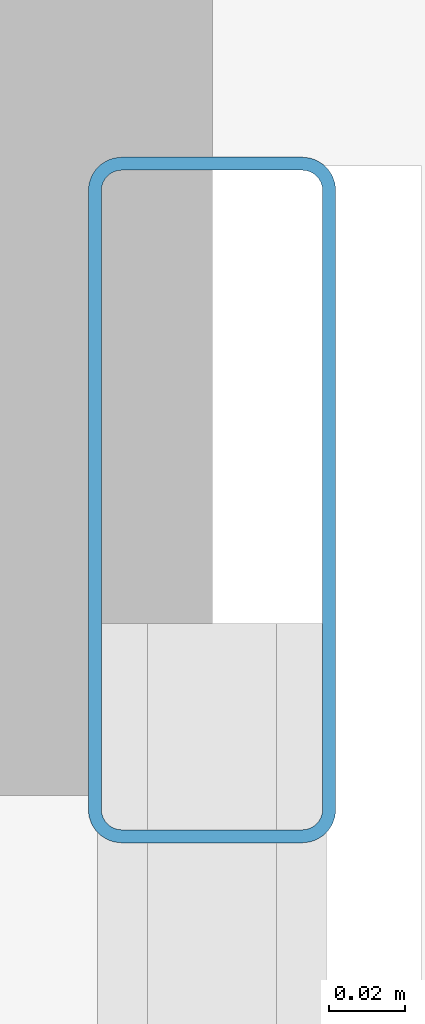
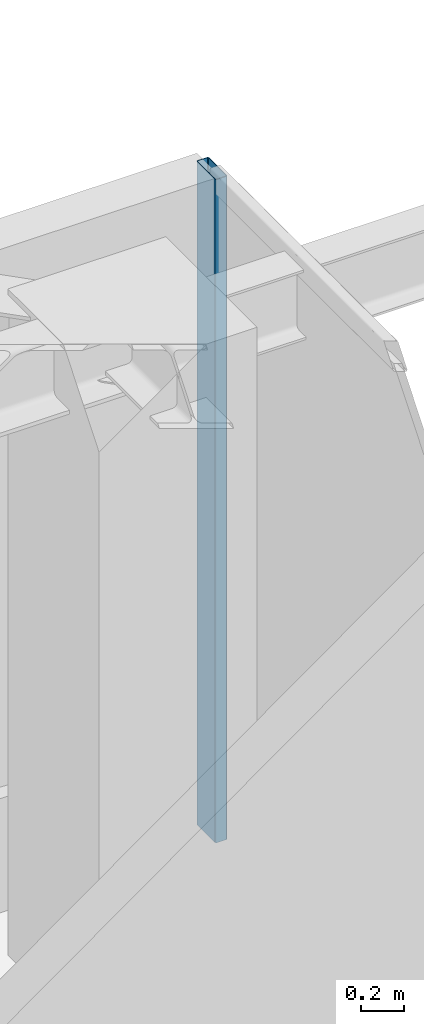
# One storey, part 22 of 36: 1 member, 1 element without a shape of its own.
"""IFC4 building model written with IfcOpenShell, lengths in metres."""

from ifc_helpers import new_model, si_unit, direction, frame, origin, origin_2d, place, context, subcontext, project, spatial, hollow_rectangle, extrude, source, transform, mapped, material, layer, layer_set, material_profile, profile_set, type_object, element, aggregate, save


model = new_model("IFC4")

# Units and contexts
model_context = context("Model", 3, precision=1e-05, world=origin(), true_north=direction((0.0, 1.0)))
body_context = subcontext(model_context, "Body", "Model", "MODEL_VIEW")
ifc_project = project(units=[si_unit("LENGTHUNIT", "METRE"), si_unit("AREAUNIT", "SQUARE_METRE"), si_unit("VOLUMEUNIT", "CUBIC_METRE"), si_unit("PLANEANGLEUNIT", "RADIAN"), si_unit("MASSUNIT", "GRAM", prefix="KILO")], contexts=[model_context])

# Site, building, storey
site_placement = place(None, origin())
site = spatial("IfcSite", under=ifc_project, at=site_placement, CompositionType="ELEMENT")
building_placement = place(site_placement, origin())
building = spatial("IfcBuilding", under=site, at=building_placement, Name="Serunith Strait Residences", CompositionType="ELEMENT")
storey_placement = place(building_placement, frame((0.0, 0.0, 338.0)))
storey = spatial("IfcBuildingStorey", under=building, at=storey_placement, Name="L84", CompositionType="ELEMENT", Elevation=338.0)

# Curtain wall, member
ifc_material = material(Name="Brushed Stainless-Silver Aluminium", Category="aluminium")
ifc_layer = layer(ifc_material, 0.199951171875, Name="Brushed Stainless-Silver Aluminium")
ifc_layer_set = layer_set([ifc_layer], Name="Brushed Stainless-Silver Aluminium")
curtain_wall_type = type_object("IfcCurtainWallType", Name="CW-SYS5", PredefinedType="NOTDEFINED", material=ifc_layer_set)
curtain_wall_placement = place(storey_placement, origin())
curtain_wall = element("IfcCurtainWall", 1, at=curtain_wall_placement, inside=storey, type_object=curtain_wall_type, Name="L84 E Unitised Fritted Curtain Wall", PredefinedType="NOTDEFINED")
ifc_material_profile = material_profile(ifc_material, hollow_rectangle(XDim=0.06494140625, YDim=0.179931640625, WallThickness=0.00341796875, InnerFilletRadius=0.00537109375, OuterFilletRadius=0.0087890625, at=origin_2d()), Name="ALU 180x65x3.5")
ifc_profile_set = profile_set([ifc_material_profile], Name="Brushed Stainless-Silver Aluminium")
member_type = type_object("IfcMemberType", Name="CW-SYS5-MULL", PredefinedType="MULLION", material=ifc_profile_set)
shared_shape = source(origin(), body_context, "Body", "SweptSolid", [
    extrude(hollow_rectangle(XDim=0.06494140625, YDim=0.179931640625, WallThickness=0.00341796875, InnerFilletRadius=0.00537109375, OuterFilletRadius=0.0087890625, at=origin_2d()), origin(), (0.0, 0.0, 1.0), 3.77490234375),
])
member_placement = place(storey_placement, frame((54.0, 39.367431640625, 0.0), z_axis=(0.0, 0.0, 1.0), x_axis=(-1.0, 0.0, 0.0)))
member = element("IfcMember", 2, at=member_placement, type_object=member_type, Name="CW-5 mullion 5", PredefinedType="MULLION", context=body_context, shape_type="MappedRepresentation", body=[
    mapped(shared_shape, transform((0.0, 0.0, 0.0), scale=1.0)),
])
aggregate(curtain_wall, [member])

save(model, "model.ifc")
